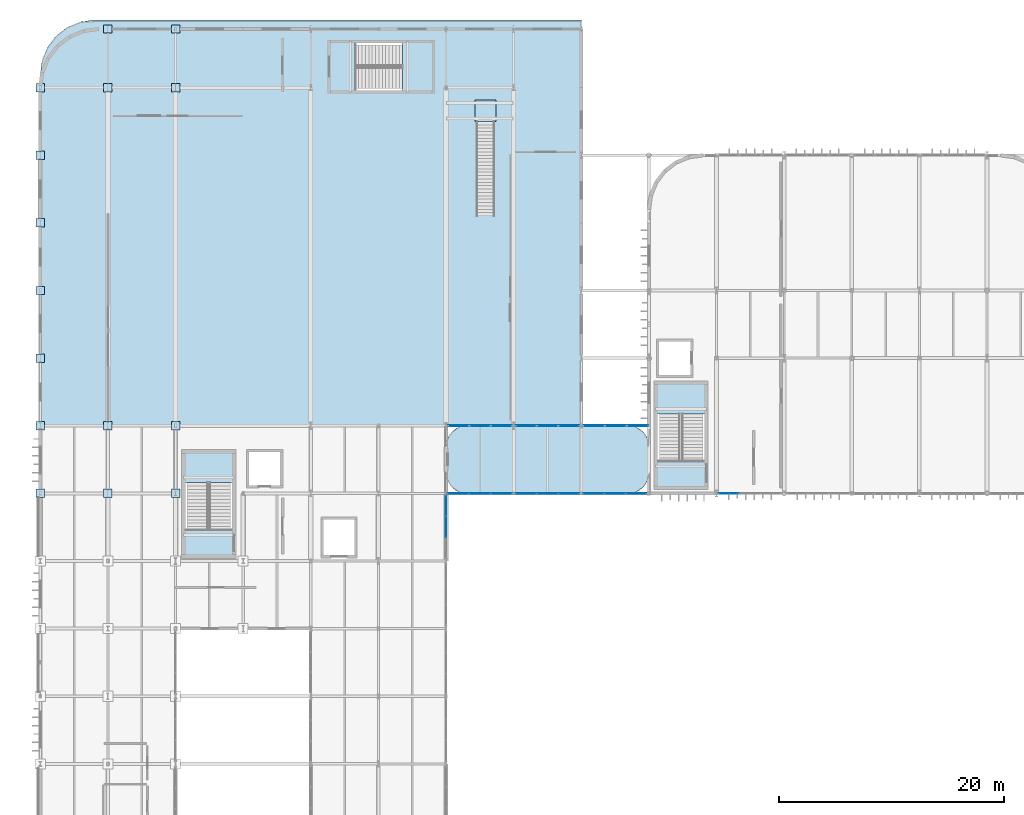
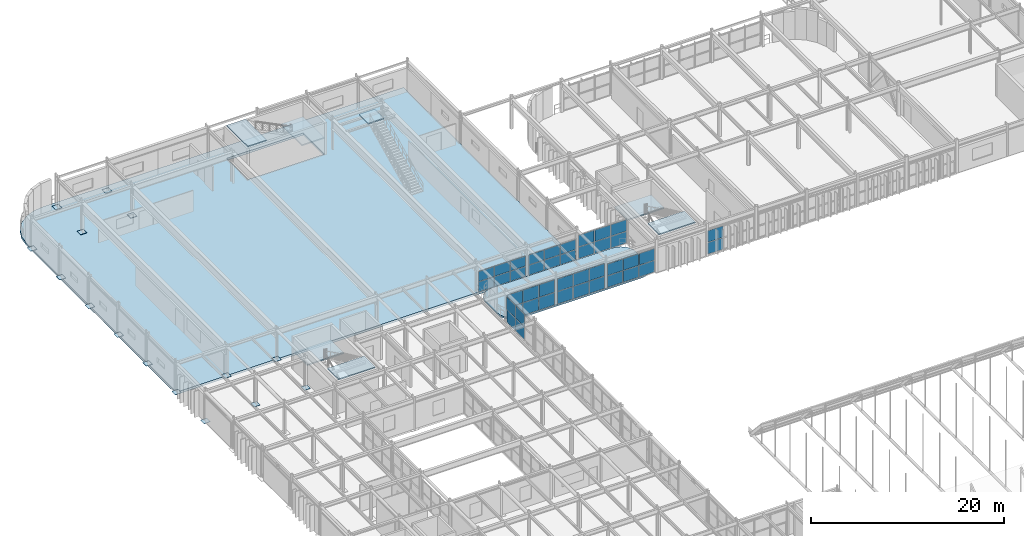
# One storey, part 80 of 116: 57 plates, 9 slabs, 12 elements without a shape of their own.
"""IFC4 building model written with IfcOpenShell, lengths in metres."""

from ifc_helpers import new_model, si_unit, direction, frame, origin, origin_2d, place, context, subcontext, project, spatial, polyline, rectangle, outline, extrude, material, layer, layer_set, type_object, element, aggregate, save


model = new_model("IFC4")

# Units and contexts
model_context = context("Model", 3, precision=1e-05, world=origin(), true_north=direction((0.0, 1.0)))
body_context = subcontext(model_context, "Body", "Model", "MODEL_VIEW")
ifc_project = project(units=[si_unit("LENGTHUNIT", "METRE"), si_unit("AREAUNIT", "SQUARE_METRE"), si_unit("VOLUMEUNIT", "CUBIC_METRE"), si_unit("PLANEANGLEUNIT", "RADIAN"), si_unit("MASSUNIT", "GRAM", prefix="KILO")], contexts=[model_context])

# Site, building, storey
site_placement = place(None, origin())
site = spatial("IfcSite", under=ifc_project, at=site_placement, CompositionType="ELEMENT")
building_placement = place(site_placement, origin())
building = spatial("IfcBuilding", under=site, at=building_placement, Name="Varnakota Square Police Headquarters", CompositionType="ELEMENT")
storey_placement = place(building_placement, frame((0.0, 0.0, 9.300048828125)))
storey = spatial("IfcBuildingStorey", under=building, at=storey_placement, Name="L02", CompositionType="ELEMENT", Elevation=9.300048828125)

# Curtain wall, plates
ifc_material_1 = material(Name="Anodised Aluminium Framing", Category="aluminium")
curtain_wall_type_1 = type_object("IfcCurtainWallType", Name="CW-SYS-E", PredefinedType="NOTDEFINED", material=ifc_material_1)
curtain_wall_1_placement = place(storey_placement, origin())
curtain_wall_1 = element("IfcCurtainWall", 1, at=curtain_wall_1_placement, inside=storey, type_object=curtain_wall_type_1, Name="Unitised curtain wall CWG-L02-207", PredefinedType="NOTDEFINED")
ifc_material_2 = material(Name="Solar-Control Laminated Double Glazing", Category="glass")
ifc_layer_1 = layer(ifc_material_2, 0.028076171875, Name="Solar-Control Laminated Double Glazing")
ifc_layer_set_1 = layer_set([ifc_layer_1], Name="Solar-Control Laminated Double Glazing")
plate_type_1 = type_object("IfcPlateType", Name="CWP-GLZ-28", PredefinedType="CURTAIN_PANEL", material=ifc_layer_set_1)
plate_1_placement = place(storey_placement, frame((49.09033203125, 75.0, 0.06494140625), z_axis=(0.0, 0.0, 1.0), x_axis=(1.0, 0.0, 0.0)))
plate_1 = element("IfcPlate", 2, at=plate_1_placement, type_object=plate_type_1, Name="CWG-L02-207 panel 1.1", PredefinedType="CURTAIN_PANEL", context=body_context, shape_type="SweptSolid", body=[
    extrude(rectangle(XDim=1.830810546875, YDim=0.028076171875, at=origin_2d()), origin(), (0.0, 0.0, 1.0), 1.24755859375),
])
plate_2_placement = place(storey_placement, frame((51.00244140625, 75.0, 0.06494140625), z_axis=(0.0, 0.0, 1.0), x_axis=(1.0, 0.0, 0.0)))
plate_2 = element("IfcPlate", 3, at=plate_2_placement, type_object=plate_type_1, Name="CWG-L02-207 panel 2.1", PredefinedType="CURTAIN_PANEL", context=body_context, shape_type="SweptSolid", body=[
    extrude(rectangle(XDim=1.86328125, YDim=0.028076171875, at=origin_2d()), origin(), (0.0, 0.0, 1.0), 1.24755859375),
])
plate_3_placement = place(storey_placement, frame((52.91455078125, 75.0, 0.06494140625), z_axis=(0.0, 0.0, 1.0), x_axis=(1.0, 0.0, 0.0)))
plate_3 = element("IfcPlate", 4, at=plate_3_placement, type_object=plate_type_1, Name="CWG-L02-207 panel 3.1", PredefinedType="CURTAIN_PANEL", context=body_context, shape_type="SweptSolid", body=[
    extrude(rectangle(XDim=1.830810546875, YDim=0.028076171875, at=origin_2d()), origin(), (0.0, 0.0, 1.0), 1.24755859375),
])

curtain_wall_type_2 = type_object("IfcCurtainWallType", Name="CW-SYS-D", PredefinedType="NOTDEFINED", material=ifc_material_1)
curtain_wall_2_placement = place(storey_placement, origin())
curtain_wall_2 = element("IfcCurtainWall", 5, at=curtain_wall_2_placement, inside=storey, type_object=curtain_wall_type_2, Name="Unitised curtain wall CWG-L02-160", PredefinedType="NOTDEFINED")
ifc_material_3 = material(Name="Acoustic Laminated Double Glazing", Category="glass")
ifc_layer_2 = layer(ifc_material_3, 0.031982421875, Name="Acoustic Laminated Double Glazing")
ifc_layer_set_2 = layer_set([ifc_layer_2], Name="Acoustic Laminated Double Glazing")
plate_type_2 = type_object("IfcPlateType", Name="CWP-GLZ-32", PredefinedType="CURTAIN_PANEL", material=ifc_layer_set_2)
plate_4_placement = place(storey_placement, frame((42.0, 66.02490234375, 0.06494140625), z_axis=(0.0, 0.0, 1.0), x_axis=(0.0, 1.0, 0.0)))
plate_4 = element("IfcPlate", 6, at=plate_4_placement, type_object=plate_type_2, Name="CWG-L02-160 panel 2.1", PredefinedType="CURTAIN_PANEL", context=body_context, shape_type="SweptSolid", body=[
    extrude(rectangle(XDim=1.81494140625, YDim=0.031982421875, at=origin_2d()), origin(), (0.0, 0.0, 1.0), 1.572509765625),
])
plate_5_placement = place(storey_placement, frame((42.0, 67.888671875, 0.06494140625), z_axis=(0.0, 0.0, 1.0), x_axis=(0.0, 1.0, 0.0)))
plate_5 = element("IfcPlate", 7, at=plate_5_placement, type_object=plate_type_2, Name="CWG-L02-160 panel 3.1", PredefinedType="CURTAIN_PANEL", context=body_context, shape_type="SweptSolid", body=[
    extrude(rectangle(XDim=1.782470703125, YDim=0.031982421875, at=origin_2d()), origin(), (0.0, 0.0, 1.0), 1.572509765625),
])

curtain_wall_3_placement = place(storey_placement, origin())
curtain_wall_3 = element("IfcCurtainWall", 8, at=curtain_wall_3_placement, inside=storey, type_object=curtain_wall_type_1, Name="Unitised curtain wall CWG-L02-204", PredefinedType="NOTDEFINED")
plate_6_placement = place(storey_placement, frame((43.084716796875, 69.0, 0.06494140625), z_axis=(0.0, 0.0, 1.0), x_axis=(1.0, 0.0, 0.0)))
plate_6 = element("IfcPlate", 9, at=plate_6_placement, type_object=plate_type_2, Name="CWG-L02-204 panel 1.1", PredefinedType="CURTAIN_PANEL", context=body_context, shape_type="SweptSolid", body=[
    extrude(rectangle(XDim=1.829345703125, YDim=0.031982421875, at=origin_2d()), origin(), (0.0, 0.0, 1.0), 1.572509765625),
])
plate_7_placement = place(storey_placement, frame((44.9951171875, 69.0, 0.06494140625), z_axis=(0.0, 0.0, 1.0), x_axis=(1.0, 0.0, 0.0)))
plate_7 = element("IfcPlate", 10, at=plate_7_placement, type_object=plate_type_2, Name="CWG-L02-204 panel 2.1", PredefinedType="CURTAIN_PANEL", context=body_context, shape_type="SweptSolid", body=[
    extrude(rectangle(XDim=1.86181640625, YDim=0.031982421875, at=origin_2d()), origin(), (0.0, 0.0, 1.0), 1.572509765625),
])
plate_8_placement = place(storey_placement, frame((46.90576171875, 69.0, 0.06494140625), z_axis=(0.0, 0.0, 1.0), x_axis=(1.0, 0.0, 0.0)))
plate_8 = element("IfcPlate", 11, at=plate_8_placement, type_object=plate_type_2, Name="CWG-L02-204 panel 3.1", PredefinedType="CURTAIN_PANEL", context=body_context, shape_type="SweptSolid", body=[
    extrude(rectangle(XDim=1.829345703125, YDim=0.031982421875, at=origin_2d()), origin(), (0.0, 0.0, 1.0), 1.572509765625),
])

curtain_wall_4_placement = place(storey_placement, origin())
curtain_wall_4 = element("IfcCurtainWall", 12, at=curtain_wall_4_placement, inside=storey, type_object=curtain_wall_type_1, Name="Unitised curtain wall CWG-L02-208", PredefinedType="NOTDEFINED")
plate_9_placement = place(storey_placement, frame((55.0859375, 69.0, 0.06494140625), z_axis=(0.0, 0.0, 1.0), x_axis=(1.0, 0.0, 0.0)))
plate_9 = element("IfcPlate", 13, at=plate_9_placement, type_object=plate_type_2, Name="CWG-L02-208 panel 1.1", PredefinedType="CURTAIN_PANEL", context=body_context, shape_type="SweptSolid", body=[
    extrude(rectangle(XDim=1.812744140625, YDim=0.031982421875, at=origin_2d()), origin(), (0.0, 0.0, 1.0), 1.447509765625),
])
plate_10_placement = place(storey_placement, frame((56.979736328125, 69.0, 0.06494140625), z_axis=(0.0, 0.0, 1.0), x_axis=(1.0, 0.0, 0.0)))
plate_10 = element("IfcPlate", 14, at=plate_10_placement, type_object=plate_type_2, Name="CWG-L02-208 panel 2.1", PredefinedType="CURTAIN_PANEL", context=body_context, shape_type="SweptSolid", body=[
    extrude(rectangle(XDim=1.84521484375, YDim=0.031982421875, at=origin_2d()), origin(), (0.0, 0.0, 1.0), 1.447509765625),
])
plate_11_placement = place(storey_placement, frame((58.873779296875, 69.0, 0.06494140625), z_axis=(0.0, 0.0, 1.0), x_axis=(1.0, 0.0, 0.0)))
plate_11 = element("IfcPlate", 15, at=plate_11_placement, type_object=plate_type_2, Name="CWG-L02-208 panel 3.1", PredefinedType="CURTAIN_PANEL", context=body_context, shape_type="SweptSolid", body=[
    extrude(rectangle(XDim=1.812744140625, YDim=0.031982421875, at=origin_2d()), origin(), (0.0, 0.0, 1.0), 1.447509765625),
])

# Curtain wall, plate
curtain_wall_type_3 = type_object("IfcCurtainWallType", Name="CW-SYS-B", PredefinedType="NOTDEFINED", material=ifc_material_1)
curtain_wall_5_placement = place(storey_placement, origin())
curtain_wall_5 = element("IfcCurtainWall", 16, at=curtain_wall_5_placement, inside=storey, type_object=curtain_wall_type_3, Name="Unitised curtain wall CWG-L02-236", PredefinedType="NOTDEFINED")
plate_12_placement = place(storey_placement, frame((67.08984375, 69.0, 0.06494140625), z_axis=(0.0, 0.0, 1.0), x_axis=(1.0, 0.0, 0.0)))
plate_12 = element("IfcPlate", 17, at=plate_12_placement, type_object=plate_type_2, Name="CWG-L02-236 panel 1.1", PredefinedType="CURTAIN_PANEL", context=body_context, shape_type="SweptSolid", body=[
    extrude(rectangle(XDim=1.789794921875, YDim=0.031982421875, at=origin_2d()), origin(), (0.0, 0.0, 1.0), 1.447509765625),
])

# Curtain wall, plates
curtain_wall_6_placement = place(storey_placement, origin())
curtain_wall_6 = element("IfcCurtainWall", 18, at=curtain_wall_6_placement, inside=storey, type_object=curtain_wall_type_1, Name="Unitised curtain wall CWG-L02-205", PredefinedType="NOTDEFINED")
ifc_material_4 = material(Name="Blast-Resistant Laminated Glazing", Category="glass")
ifc_layer_3 = layer(ifc_material_4, 0.035888671875, Name="Blast-Resistant Laminated Glazing")
ifc_layer_set_3 = layer_set([ifc_layer_3], Name="Blast-Resistant Laminated Glazing")
plate_type_3 = type_object("IfcPlateType", Name="CWP-GLZ-36", PredefinedType="CURTAIN_PANEL", material=ifc_layer_set_3)
plate_13_placement = place(storey_placement, frame((43.106201171875, 75.0, 0.06494140625), z_axis=(0.0, 0.0, 1.0), x_axis=(1.0, 0.0, 0.0)))
plate_13 = element("IfcPlate", 19, at=plate_13_placement, type_object=plate_type_3, Name="CWG-L02-205 panel 1.1", PredefinedType="CURTAIN_PANEL", context=body_context, shape_type="SweptSolid", body=[
    extrude(rectangle(XDim=1.822509765625, YDim=0.035888671875, at=origin_2d()), origin(), (0.0, 0.0, 1.0), 1.24755859375),
])
plate_14_placement = place(storey_placement, frame((45.010009765625, 75.0, 0.06494140625), z_axis=(0.0, 0.0, 1.0), x_axis=(1.0, 0.0, 0.0)))
plate_14 = element("IfcPlate", 20, at=plate_14_placement, type_object=plate_type_3, Name="CWG-L02-205 panel 2.1", PredefinedType="CURTAIN_PANEL", context=body_context, shape_type="SweptSolid", body=[
    extrude(rectangle(XDim=1.85498046875, YDim=0.035888671875, at=origin_2d()), origin(), (0.0, 0.0, 1.0), 1.24755859375),
])
plate_15_placement = place(storey_placement, frame((46.913818359375, 75.0, 0.06494140625), z_axis=(0.0, 0.0, 1.0), x_axis=(1.0, 0.0, 0.0)))
plate_15 = element("IfcPlate", 21, at=plate_15_placement, type_object=plate_type_3, Name="CWG-L02-205 panel 3.1", PredefinedType="CURTAIN_PANEL", context=body_context, shape_type="SweptSolid", body=[
    extrude(rectangle(XDim=1.822509765625, YDim=0.035888671875, at=origin_2d()), origin(), (0.0, 0.0, 1.0), 1.24755859375),
])

curtain_wall_7_placement = place(storey_placement, origin())
curtain_wall_7 = element("IfcCurtainWall", 22, at=curtain_wall_7_placement, inside=storey, type_object=curtain_wall_type_1, Name="Unitised curtain wall CWG-L02-209", PredefinedType="NOTDEFINED")
plate_16_placement = place(storey_placement, frame((55.103759765625, 75.0, 0.06494140625), z_axis=(0.0, 0.0, 1.0), x_axis=(1.0, 0.0, 0.0)))
plate_16 = element("IfcPlate", 23, at=plate_16_placement, type_object=plate_type_3, Name="CWG-L02-209 panel 1.1", PredefinedType="CURTAIN_PANEL", context=body_context, shape_type="SweptSolid", body=[
    extrude(rectangle(XDim=1.867431640625, YDim=0.035888671875, at=origin_2d()), origin(), (0.0, 0.0, 1.0), 1.447509765625),
])
plate_17_placement = place(storey_placement, frame((57.052490234375, 75.0, 0.06494140625), z_axis=(0.0, 0.0, 1.0), x_axis=(1.0, 0.0, 0.0)))
plate_17 = element("IfcPlate", 24, at=plate_17_placement, type_object=plate_type_3, Name="CWG-L02-209 panel 2.1", PredefinedType="CURTAIN_PANEL", context=body_context, shape_type="SweptSolid", body=[
    extrude(rectangle(XDim=1.89990234375, YDim=0.035888671875, at=origin_2d()), origin(), (0.0, 0.0, 1.0), 1.447509765625),
])
plate_18_placement = place(storey_placement, frame((59.001220703125, 75.0, 0.06494140625), z_axis=(0.0, 0.0, 1.0), x_axis=(1.0, 0.0, 0.0)))
plate_18 = element("IfcPlate", 25, at=plate_18_placement, type_object=plate_type_3, Name="CWG-L02-209 panel 3.1", PredefinedType="CURTAIN_PANEL", context=body_context, shape_type="SweptSolid", body=[
    extrude(rectangle(XDim=1.867431640625, YDim=0.035888671875, at=origin_2d()), origin(), (0.0, 0.0, 1.0), 1.447509765625),
])

curtain_wall_8_placement = place(storey_placement, origin())
curtain_wall_8 = element("IfcCurtainWall", 26, at=curtain_wall_8_placement, inside=storey, type_object=curtain_wall_type_1, Name="Unitised curtain wall CWG-L02-206", PredefinedType="NOTDEFINED")
ifc_material_5 = material(Name="Triple-Glazed Clean-Lab Vision Unit", Category="aluminium")
ifc_layer_4 = layer(ifc_material_5, 0.0419921875, Name="Triple-Glazed Clean-Lab Vision Unit")
ifc_layer_set_4 = layer_set([ifc_layer_4], Name="Triple-Glazed Clean-Lab Vision Unit")
plate_type_4 = type_object("IfcPlateType", Name="CWP-GLZ-42", PredefinedType="CURTAIN_PANEL", material=ifc_layer_set_4)
plate_19_placement = place(storey_placement, frame((49.092529296875, 69.0, 0.06494140625), z_axis=(0.0, 0.0, 1.0), x_axis=(1.0, 0.0, 0.0)))
plate_19 = element("IfcPlate", 27, at=plate_19_placement, type_object=plate_type_4, Name="CWG-L02-206 panel 1.1", PredefinedType="CURTAIN_PANEL", context=body_context, shape_type="SweptSolid", body=[
    extrude(rectangle(XDim=1.826171875, YDim=0.0419921875, at=origin_2d()), origin(), (0.0, 0.0, 1.0), 1.547607421875),
])
plate_20_placement = place(storey_placement, frame((51.0, 69.0, 0.06494140625), z_axis=(0.0, 0.0, 1.0), x_axis=(1.0, 0.0, 0.0)))
plate_20 = element("IfcPlate", 28, at=plate_20_placement, type_object=plate_type_4, Name="CWG-L02-206 panel 2.1", PredefinedType="CURTAIN_PANEL", context=body_context, shape_type="SweptSolid", body=[
    extrude(rectangle(XDim=1.858642578125, YDim=0.0419921875, at=origin_2d()), origin(), (0.0, 0.0, 1.0), 1.547607421875),
])
plate_21_placement = place(storey_placement, frame((52.907470703125, 69.0, 0.06494140625), z_axis=(0.0, 0.0, 1.0), x_axis=(1.0, 0.0, 0.0)))
plate_21 = element("IfcPlate", 29, at=plate_21_placement, type_object=plate_type_4, Name="CWG-L02-206 panel 3.1", PredefinedType="CURTAIN_PANEL", context=body_context, shape_type="SweptSolid", body=[
    extrude(rectangle(XDim=1.826171875, YDim=0.0419921875, at=origin_2d()), origin(), (0.0, 0.0, 1.0), 1.547607421875),
])

# Plate
ifc_material_6 = material(Name="Insulated Anodised Aluminium Spandrel Panel", Category="aluminium")
ifc_layer_5 = layer(ifc_material_6, 0.050048828125, Name="Insulated Anodised Aluminium Spandrel Panel")
ifc_layer_set_5 = layer_set([ifc_layer_5], Name="Insulated Anodised Aluminium Spandrel Panel")
plate_type_5 = type_object("IfcPlateType", Name="CWP-SPN-50", PredefinedType="CURTAIN_PANEL", material=ifc_layer_set_5)
plate_22_placement = place(storey_placement, frame((43.106201171875, 75.0, 1.37744140625), z_axis=(0.0, 0.0, 1.0), x_axis=(1.0, 0.0, 0.0)))
plate_22 = element("IfcPlate", 30, at=plate_22_placement, type_object=plate_type_5, Name="CWG-L02-205 panel 1.2", PredefinedType="CURTAIN_PANEL", context=body_context, shape_type="SweptSolid", body=[
    extrude(rectangle(XDim=1.822509765625, YDim=0.050048828125, at=origin_2d()), origin(), (0.0, 0.0, 1.0), 1.24755859375),
])

plate_23_placement = place(storey_placement, frame((45.010009765625, 75.0, 1.37744140625), z_axis=(0.0, 0.0, 1.0), x_axis=(1.0, 0.0, 0.0)))
plate_23 = element("IfcPlate", 31, at=plate_23_placement, type_object=plate_type_5, Name="CWG-L02-205 panel 2.2", PredefinedType="CURTAIN_PANEL", context=body_context, shape_type="SweptSolid", body=[
    extrude(rectangle(XDim=1.85498046875, YDim=0.050048828125, at=origin_2d()), origin(), (0.0, 0.0, 1.0), 1.24755859375),
])

plate_24_placement = place(storey_placement, frame((46.913818359375, 75.0, 1.37744140625), z_axis=(0.0, 0.0, 1.0), x_axis=(1.0, 0.0, 0.0)))
plate_24 = element("IfcPlate", 32, at=plate_24_placement, type_object=plate_type_5, Name="CWG-L02-205 panel 3.2", PredefinedType="CURTAIN_PANEL", context=body_context, shape_type="SweptSolid", body=[
    extrude(rectangle(XDim=1.822509765625, YDim=0.050048828125, at=origin_2d()), origin(), (0.0, 0.0, 1.0), 1.24755859375),
])

aggregate(curtain_wall_6, [plate_13, plate_22, plate_14, plate_23, plate_15, plate_24])

plate_25_placement = place(storey_placement, frame((49.09033203125, 75.0, 1.37744140625), z_axis=(0.0, 0.0, 1.0), x_axis=(1.0, 0.0, 0.0)))
plate_25 = element("IfcPlate", 33, at=plate_25_placement, type_object=plate_type_5, Name="CWG-L02-207 panel 1.2", PredefinedType="CURTAIN_PANEL", context=body_context, shape_type="SweptSolid", body=[
    extrude(rectangle(XDim=1.830810546875, YDim=0.050048828125, at=origin_2d()), origin(), (0.0, 0.0, 1.0), 1.24755859375),
])

plate_26_placement = place(storey_placement, frame((51.00244140625, 75.0, 1.37744140625), z_axis=(0.0, 0.0, 1.0), x_axis=(1.0, 0.0, 0.0)))
plate_26 = element("IfcPlate", 34, at=plate_26_placement, type_object=plate_type_5, Name="CWG-L02-207 panel 2.2", PredefinedType="CURTAIN_PANEL", context=body_context, shape_type="SweptSolid", body=[
    extrude(rectangle(XDim=1.86328125, YDim=0.050048828125, at=origin_2d()), origin(), (0.0, 0.0, 1.0), 1.24755859375),
])

plate_27_placement = place(storey_placement, frame((52.91455078125, 75.0, 1.37744140625), z_axis=(0.0, 0.0, 1.0), x_axis=(1.0, 0.0, 0.0)))
plate_27 = element("IfcPlate", 35, at=plate_27_placement, type_object=plate_type_5, Name="CWG-L02-207 panel 3.2", PredefinedType="CURTAIN_PANEL", context=body_context, shape_type="SweptSolid", body=[
    extrude(rectangle(XDim=1.830810546875, YDim=0.050048828125, at=origin_2d()), origin(), (0.0, 0.0, 1.0), 1.24755859375),
])

aggregate(curtain_wall_1, [plate_1, plate_25, plate_2, plate_26, plate_3, plate_27])

plate_28_placement = place(storey_placement, frame((55.103759765625, 75.0, 1.57763671875), z_axis=(0.0, 0.0, 1.0), x_axis=(1.0, 0.0, 0.0)))
plate_28 = element("IfcPlate", 36, at=plate_28_placement, type_object=plate_type_5, Name="CWG-L02-209 panel 1.2", PredefinedType="CURTAIN_PANEL", context=body_context, shape_type="SweptSolid", body=[
    extrude(rectangle(XDim=1.867431640625, YDim=0.050048828125, at=origin_2d()), origin(), (0.0, 0.0, 1.0), 1.447509765625),
])

plate_29_placement = place(storey_placement, frame((57.052490234375, 75.0, 1.57763671875), z_axis=(0.0, 0.0, 1.0), x_axis=(1.0, 0.0, 0.0)))
plate_29 = element("IfcPlate", 37, at=plate_29_placement, type_object=plate_type_5, Name="CWG-L02-209 panel 2.2", PredefinedType="CURTAIN_PANEL", context=body_context, shape_type="SweptSolid", body=[
    extrude(rectangle(XDim=1.89990234375, YDim=0.050048828125, at=origin_2d()), origin(), (0.0, 0.0, 1.0), 1.447509765625),
])

plate_30_placement = place(storey_placement, frame((59.001220703125, 75.0, 1.57763671875), z_axis=(0.0, 0.0, 1.0), x_axis=(1.0, 0.0, 0.0)))
plate_30 = element("IfcPlate", 38, at=plate_30_placement, type_object=plate_type_5, Name="CWG-L02-209 panel 3.2", PredefinedType="CURTAIN_PANEL", context=body_context, shape_type="SweptSolid", body=[
    extrude(rectangle(XDim=1.867431640625, YDim=0.050048828125, at=origin_2d()), origin(), (0.0, 0.0, 1.0), 1.447509765625),
])

aggregate(curtain_wall_7, [plate_16, plate_28, plate_17, plate_29, plate_18, plate_30])

ifc_material_7 = material(Name="Fire-Stopped Mineral-Wool Spandrel Panel", Category="aluminium")
ifc_layer_6 = layer(ifc_material_7, 0.06005859375, Name="Fire-Stopped Mineral-Wool Spandrel Panel")
ifc_layer_set_6 = layer_set([ifc_layer_6], Name="Fire-Stopped Mineral-Wool Spandrel Panel")
plate_type_6 = type_object("IfcPlateType", Name="CWP-SPN-60", PredefinedType="CURTAIN_PANEL", material=ifc_layer_set_6)
plate_31_placement = place(storey_placement, frame((42.0, 66.02490234375, 1.70263671875), z_axis=(0.0, 0.0, 1.0), x_axis=(0.0, 1.0, 0.0)))
plate_31 = element("IfcPlate", 39, at=plate_31_placement, type_object=plate_type_6, Name="CWG-L02-160 panel 2.2", PredefinedType="CURTAIN_PANEL", context=body_context, shape_type="SweptSolid", body=[
    extrude(rectangle(XDim=1.81494140625, YDim=0.06005859375, at=origin_2d()), origin(), (0.0, 0.0, 1.0), 1.572509765625),
])

plate_32_placement = place(storey_placement, frame((42.0, 67.888671875, 1.70263671875), z_axis=(0.0, 0.0, 1.0), x_axis=(0.0, 1.0, 0.0)))
plate_32 = element("IfcPlate", 40, at=plate_32_placement, type_object=plate_type_6, Name="CWG-L02-160 panel 3.2", PredefinedType="CURTAIN_PANEL", context=body_context, shape_type="SweptSolid", body=[
    extrude(rectangle(XDim=1.782470703125, YDim=0.06005859375, at=origin_2d()), origin(), (0.0, 0.0, 1.0), 1.572509765625),
])

aggregate(curtain_wall_2, [plate_4, plate_31, plate_5, plate_32])

plate_33_placement = place(storey_placement, frame((43.084716796875, 69.0, 1.70263671875), z_axis=(0.0, 0.0, 1.0), x_axis=(1.0, 0.0, 0.0)))
plate_33 = element("IfcPlate", 41, at=plate_33_placement, type_object=plate_type_6, Name="CWG-L02-204 panel 1.2", PredefinedType="CURTAIN_PANEL", context=body_context, shape_type="SweptSolid", body=[
    extrude(rectangle(XDim=1.829345703125, YDim=0.06005859375, at=origin_2d()), origin(), (0.0, 0.0, 1.0), 1.572509765625),
])

plate_34_placement = place(storey_placement, frame((44.9951171875, 69.0, 1.70263671875), z_axis=(0.0, 0.0, 1.0), x_axis=(1.0, 0.0, 0.0)))
plate_34 = element("IfcPlate", 42, at=plate_34_placement, type_object=plate_type_6, Name="CWG-L02-204 panel 2.2", PredefinedType="CURTAIN_PANEL", context=body_context, shape_type="SweptSolid", body=[
    extrude(rectangle(XDim=1.86181640625, YDim=0.06005859375, at=origin_2d()), origin(), (0.0, 0.0, 1.0), 1.572509765625),
])

plate_35_placement = place(storey_placement, frame((46.90576171875, 69.0, 1.70263671875), z_axis=(0.0, 0.0, 1.0), x_axis=(1.0, 0.0, 0.0)))
plate_35 = element("IfcPlate", 43, at=plate_35_placement, type_object=plate_type_6, Name="CWG-L02-204 panel 3.2", PredefinedType="CURTAIN_PANEL", context=body_context, shape_type="SweptSolid", body=[
    extrude(rectangle(XDim=1.829345703125, YDim=0.06005859375, at=origin_2d()), origin(), (0.0, 0.0, 1.0), 1.572509765625),
])

aggregate(curtain_wall_3, [plate_6, plate_33, plate_7, plate_34, plate_8, plate_35])

plate_36_placement = place(storey_placement, frame((49.092529296875, 69.0, 1.67724609375), z_axis=(0.0, 0.0, 1.0), x_axis=(1.0, 0.0, 0.0)))
plate_36 = element("IfcPlate", 44, at=plate_36_placement, type_object=plate_type_6, Name="CWG-L02-206 panel 1.2", PredefinedType="CURTAIN_PANEL", context=body_context, shape_type="SweptSolid", body=[
    extrude(rectangle(XDim=1.826171875, YDim=0.06005859375, at=origin_2d()), origin(), (0.0, 0.0, 1.0), 1.547607421875),
])

plate_37_placement = place(storey_placement, frame((51.0, 69.0, 1.67724609375), z_axis=(0.0, 0.0, 1.0), x_axis=(1.0, 0.0, 0.0)))
plate_37 = element("IfcPlate", 45, at=plate_37_placement, type_object=plate_type_6, Name="CWG-L02-206 panel 2.2", PredefinedType="CURTAIN_PANEL", context=body_context, shape_type="SweptSolid", body=[
    extrude(rectangle(XDim=1.858642578125, YDim=0.06005859375, at=origin_2d()), origin(), (0.0, 0.0, 1.0), 1.547607421875),
])

plate_38_placement = place(storey_placement, frame((52.907470703125, 69.0, 1.67724609375), z_axis=(0.0, 0.0, 1.0), x_axis=(1.0, 0.0, 0.0)))
plate_38 = element("IfcPlate", 46, at=plate_38_placement, type_object=plate_type_6, Name="CWG-L02-206 panel 3.2", PredefinedType="CURTAIN_PANEL", context=body_context, shape_type="SweptSolid", body=[
    extrude(rectangle(XDim=1.826171875, YDim=0.06005859375, at=origin_2d()), origin(), (0.0, 0.0, 1.0), 1.547607421875),
])

aggregate(curtain_wall_8, [plate_19, plate_36, plate_20, plate_37, plate_21, plate_38])

plate_39_placement = place(storey_placement, frame((55.0859375, 69.0, 1.57763671875), z_axis=(0.0, 0.0, 1.0), x_axis=(1.0, 0.0, 0.0)))
plate_39 = element("IfcPlate", 47, at=plate_39_placement, type_object=plate_type_6, Name="CWG-L02-208 panel 1.2", PredefinedType="CURTAIN_PANEL", context=body_context, shape_type="SweptSolid", body=[
    extrude(rectangle(XDim=1.812744140625, YDim=0.06005859375, at=origin_2d()), origin(), (0.0, 0.0, 1.0), 1.447509765625),
])

plate_40_placement = place(storey_placement, frame((56.979736328125, 69.0, 1.57763671875), z_axis=(0.0, 0.0, 1.0), x_axis=(1.0, 0.0, 0.0)))
plate_40 = element("IfcPlate", 48, at=plate_40_placement, type_object=plate_type_6, Name="CWG-L02-208 panel 2.2", PredefinedType="CURTAIN_PANEL", context=body_context, shape_type="SweptSolid", body=[
    extrude(rectangle(XDim=1.84521484375, YDim=0.06005859375, at=origin_2d()), origin(), (0.0, 0.0, 1.0), 1.447509765625),
])

plate_41_placement = place(storey_placement, frame((58.873779296875, 69.0, 1.57763671875), z_axis=(0.0, 0.0, 1.0), x_axis=(1.0, 0.0, 0.0)))
plate_41 = element("IfcPlate", 49, at=plate_41_placement, type_object=plate_type_6, Name="CWG-L02-208 panel 3.2", PredefinedType="CURTAIN_PANEL", context=body_context, shape_type="SweptSolid", body=[
    extrude(rectangle(XDim=1.812744140625, YDim=0.06005859375, at=origin_2d()), origin(), (0.0, 0.0, 1.0), 1.447509765625),
])

aggregate(curtain_wall_4, [plate_9, plate_39, plate_10, plate_40, plate_11, plate_41])

plate_42_placement = place(storey_placement, frame((67.08984375, 69.0, 1.57763671875), z_axis=(0.0, 0.0, 1.0), x_axis=(1.0, 0.0, 0.0)))
plate_42 = element("IfcPlate", 50, at=plate_42_placement, type_object=plate_type_6, Name="CWG-L02-236 panel 1.2", PredefinedType="CURTAIN_PANEL", context=body_context, shape_type="SweptSolid", body=[
    extrude(rectangle(XDim=1.789794921875, YDim=0.06005859375, at=origin_2d()), origin(), (0.0, 0.0, 1.0), 1.447509765625),
])

aggregate(curtain_wall_5, [plate_12, plate_42])

# Plates
ifc_material_8 = material(Name="Steel IS 2062 Grade 350", Category="steel")
ifc_layer_7 = layer(ifc_material_8, 0.02490234375, Name="Steel IS 2062 Grade 350")
ifc_layer_set_7 = layer_set([ifc_layer_7], Name="Steel IS 2062 Grade 350")
plate_type_7 = type_object("IfcPlateType", Name="PL-BASE-25", PredefinedType="SHEET", material=ifc_layer_set_7)
for number, where, z_axis, x_axis, name in (
    (51, (6.0, 69.0, 0.0), (0.0, 0.0, 1.0), (1.0, 0.0, 0.0), "Column base plate BP-009"),
    (52, (6.0, 75.0, 0.0), (0.0, 0.0, 1.0), (1.0, 0.0, 0.0), "Column base plate BP-010"),
    (53, (6.0, 81.0, 0.0), (0.0, 0.0, 1.0), (1.0, 0.0, 0.0), "Column base plate BP-011"),
    (54, (6.0, 87.0, 0.0), (0.0, 0.0, 1.0), (1.0, 0.0, 0.0), "Column base plate BP-012"),
    (55, (6.0, 93.0, 0.0), (0.0, 0.0, 1.0), (1.0, 0.0, 0.0), "Column base plate BP-013"),
    (56, (6.0, 99.0, 0.0), (0.0, 0.0, 1.0), (1.0, 0.0, 0.0), "Column base plate BP-014"),
    (57, (6.0, 105.0, 0.0), (0.0, 0.0, 1.0), (1.0, 0.0, 0.0), "Column base plate BP-015"),
    (58, (12.0, 69.0, 0.0), (0.0, 0.0, 1.0), (1.0, 0.0, 0.0), "Column base plate BP-027"),
    (59, (12.0, 75.0, 0.0), (0.0, 0.0, 1.0), (1.0, 0.0, 0.0), "Column base plate BP-028"),
    (60, (12.0, 105.0, 0.0), (0.0, 0.0, 1.0), (1.0, 0.0, 0.0), "Column base plate BP-029"),
    (61, (12.0, 110.199951171875, 0.0), (0.0, 0.0, 1.0), (1.0, 0.0, 0.0), "Column base plate BP-030"),
    (62, (18.0, 69.0, 0.0), (0.0, 0.0, 1.0), (1.0, 0.0, 0.0), "Column base plate BP-042"),
    (63, (18.0, 75.0, 0.0), (0.0, 0.0, 1.0), (1.0, 0.0, 0.0), "Column base plate BP-043"),
    (64, (18.0, 105.0, 0.0), (0.0, 0.0, 1.0), (1.0, 0.0, 0.0), "Column base plate BP-044"),
    (65, (18.0, 110.199951171875, 0.0), (0.0, 0.0, 1.0), (1.0, 0.0, 0.0), "Column base plate BP-045"),
):
    element("IfcPlate", number, at=place(storey_placement, frame(where, z_axis=z_axis, x_axis=x_axis)), inside=storey, type_object=plate_type_7, Name=name, PredefinedType="SHEET", context=body_context, shape_type="SweptSolid", body=[
        extrude(rectangle(XDim=0.75, YDim=0.75, at=origin_2d()), origin(), (0.0, 0.0, 1.0), 0.02490234375),
    ])

# Slabs
ifc_material_9 = material(Name="Concrete M40", Category="concrete")
ifc_layer_8 = layer(ifc_material_9, 0.199951171875, Name="Concrete M40")
ifc_layer_set_8 = layer_set([ifc_layer_8], Name="Concrete M40")
slab_type_1 = type_object("IfcSlabType", Name="SL-COMP-200", PredefinedType="FLOOR", material=ifc_layer_set_8)
slab_1_placement = place(storey_placement, frame((0.0, 0.0, -0.199951171875)))
element("IfcSlab", 66, at=slab_1_placement, inside=storey, type_object=slab_type_1, Name="L02 North Court Link Bridge", PredefinedType="FLOOR", context=body_context, shape_type="SweptSolid", body=[
    extrude(outline(polyline([(42.0, 70.800048828125), (42.061279296875, 70.333984375), (42.2412109375, 69.89990234375), (42.527099609375, 69.527099609375), (42.89990234375, 69.2412109375), (43.333984375, 69.061279296875), (43.800048828125, 69.0), (58.199951171875, 69.0), (58.666015625, 69.061279296875), (59.10009765625, 69.2412109375), (59.472900390625, 69.527099609375), (59.7587890625, 69.89990234375), (59.938720703125, 70.333984375), (60.0, 70.800048828125), (60.0, 73.199951171875), (59.938720703125, 73.666015625), (59.7587890625, 74.10009765625), (59.472900390625, 74.472900390625), (59.10009765625, 74.7587890625), (58.666015625, 74.938720703125), (58.199951171875, 75.0), (43.800048828125, 75.0), (43.333984375, 74.938720703125), (42.89990234375, 74.7587890625), (42.527099609375, 74.472900390625), (42.2412109375, 74.10009765625), (42.061279296875, 73.666015625), (42.0, 73.199951171875), (42.0, 70.800048828125)])), origin(), (0.0, 0.0, 1.0), 0.199951171875),
])
ifc_layer_9 = layer(ifc_material_9, 0.280029296875, Name="Concrete M40")
ifc_layer_set_9 = layer_set([ifc_layer_9], Name="Concrete M40")
slab_type_2 = type_object("IfcSlabType", Name="SL-POD-280", PredefinedType="FLOOR", material=ifc_layer_set_9)
slab_2_placement = place(storey_placement, frame((0.0, 0.0, -0.280029296875)))
element("IfcSlab", 67, at=slab_2_placement, inside=storey, type_object=slab_type_2, Name="L02 Tactical Gymnasium Floor Slab", PredefinedType="FLOOR", context=body_context, shape_type="SweptSolid", body=[
    extrude(outline(polyline([(6.0, 75.0), (54.0, 75.0), (54.0, 111.0), (10.800048828125, 111.0), (9.5576171875, 110.83642578125), (8.39990234375, 110.35693359375), (7.406005859375, 109.593994140625), (6.64306640625, 108.60009765625), (6.16357421875, 107.4423828125), (6.0, 106.199951171875), (6.0, 75.0)]), holes=[polyline([(31.655029296875, 104.655029296875), (40.844970703125, 104.655029296875), (40.844970703125, 109.044921875), (31.655029296875, 109.044921875), (31.655029296875, 104.655029296875)])]), origin(), (0.0, 0.0, 1.0), 0.280029296875),
])

# Stair, slab
ifc_material_10 = material(Name="Precast concrete M40", Category="concrete")
stair_type_1 = type_object("IfcStairType", Name="STR-FEAT-1600", PredefinedType="STRAIGHT_RUN_STAIR", material=ifc_material_10)
stair_1_placement = place(storey_placement, origin())
stair_1 = element("IfcStair", 68, at=stair_1_placement, inside=storey, type_object=stair_type_1, Name="Civic feature straight-run stair ST-GYM1", PredefinedType="STRAIGHT_RUN_STAIR")
ifc_layer_10 = layer(ifc_material_10, 0.152099609375, Name="Precast concrete M40")
ifc_layer_set_10 = layer_set([ifc_layer_10], Name="Precast concrete M40")
slab_type_3 = type_object("IfcSlabType", Name="SLB-FLND-1600", PredefinedType="LANDING", material=ifc_layer_set_10)
slab_3_placement = place(storey_placement, frame((0.0, 0.0, 4.0478515625)))
slab_3 = element("IfcSlab", 69, at=slab_3_placement, type_object=slab_type_3, Name="ST-GYM1 landing 1", PredefinedType="LANDING", context=body_context, shape_type="SweptSolid", body=[
    extrude(outline(polyline([(44.550048828125, 102.0), (46.449951171875, 102.0), (46.449951171875, 103.89990234375), (44.550048828125, 103.89990234375), (44.550048828125, 102.0)])), origin(), (0.0, 0.0, 1.0), 0.152099609375),
])
aggregate(stair_1, [slab_3])

# Stair, slabs
stair_type_2 = type_object("IfcStairType", Name="STR-DOG-1850", PredefinedType="USERDEFINED", material=ifc_material_9)
stair_2_placement = place(storey_placement, origin())
stair_2 = element("IfcStair", 70, at=stair_2_placement, inside=storey, type_object=stair_type_2, Name="Protected exit stair ST5 (L02)", ObjectType="TWO_RETURN_STAIR", PredefinedType="USERDEFINED")
ifc_layer_11 = layer(ifc_material_9, 0.157958984375, Name="Concrete M40")
ifc_layer_set_11 = layer_set([ifc_layer_11], Name="Concrete M40")
slab_type_4 = type_object("IfcSlabType", Name="SLB-LND-1850", PredefinedType="LANDING", material=ifc_layer_set_11)
slab_4_placement = place(storey_placement, frame((0.0, 0.0, 1.94189453125)))
slab_4 = element("IfcSlab", 71, at=slab_4_placement, type_object=slab_type_4, Name="ST5-L02 landing 1", PredefinedType="LANDING", context=body_context, shape_type="SweptSolid", body=[
    extrude(outline(polyline([(18.760009765625, 69.95068359375), (23.139892578125, 69.95068359375), (23.139892578125, 72.639892578125), (18.760009765625, 72.639892578125), (18.760009765625, 69.95068359375)])), origin(), (0.0, 0.0, 1.0), 0.157958984375),
])
slab_5_placement = place(storey_placement, frame((0.0, 0.0, 4.0419921875)))
slab_5 = element("IfcSlab", 72, at=slab_5_placement, type_object=slab_type_4, Name="ST5-L02 landing 2", PredefinedType="LANDING", context=body_context, shape_type="SweptSolid", body=[
    extrude(outline(polyline([(18.760009765625, 63.4599609375), (23.139892578125, 63.4599609375), (23.139892578125, 65.75), (18.760009765625, 65.75), (18.760009765625, 63.4599609375)])), origin(), (0.0, 0.0, 1.0), 0.157958984375),
])
aggregate(stair_2, [slab_4, slab_5])

stair_3_placement = place(storey_placement, origin())
stair_3 = element("IfcStair", 73, at=stair_3_placement, inside=storey, type_object=stair_type_2, Name="Protected exit stair ST6 (L02)", ObjectType="TWO_RETURN_STAIR", PredefinedType="USERDEFINED")
slab_6_placement = place(storey_placement, frame((0.0, 0.0, 1.94189453125)))
slab_6 = element("IfcSlab", 74, at=slab_6_placement, type_object=slab_type_4, Name="ST6-L02 landing 1", PredefinedType="LANDING", context=body_context, shape_type="SweptSolid", body=[
    extrude(outline(polyline([(60.659912109375, 76.05078125), (65.0400390625, 76.05078125), (65.0400390625, 78.739990234375), (60.659912109375, 78.739990234375), (60.659912109375, 76.05078125)])), origin(), (0.0, 0.0, 1.0), 0.157958984375),
])
slab_7_placement = place(storey_placement, frame((0.0, 0.0, 4.0419921875)))
slab_7 = element("IfcSlab", 75, at=slab_7_placement, type_object=slab_type_4, Name="ST6-L02 landing 2", PredefinedType="LANDING", context=body_context, shape_type="SweptSolid", body=[
    extrude(outline(polyline([(60.659912109375, 69.56005859375), (65.0400390625, 69.56005859375), (65.0400390625, 71.85009765625), (60.659912109375, 71.85009765625), (60.659912109375, 69.56005859375)])), origin(), (0.0, 0.0, 1.0), 0.157958984375),
])
aggregate(stair_3, [slab_6, slab_7])

stair_4_placement = place(storey_placement, origin())
stair_4 = element("IfcStair", 76, at=stair_4_placement, inside=storey, type_object=stair_type_2, Name="Protected exit stair ST7 (L02)", ObjectType="TWO_RETURN_STAIR", PredefinedType="USERDEFINED")
slab_8_placement = place(storey_placement, frame((0.0, 0.0, 1.94189453125)))
slab_8 = element("IfcSlab", 77, at=slab_8_placement, type_object=slab_type_4, Name="ST7-L02 landing 1", PredefinedType="LANDING", context=body_context, shape_type="SweptSolid", body=[
    extrude(outline(polyline([(38.150634765625, 104.659912109375), (40.840087890625, 104.659912109375), (40.840087890625, 109.0400390625), (38.150634765625, 109.0400390625), (38.150634765625, 104.659912109375)])), origin(), (0.0, 0.0, 1.0), 0.157958984375),
])
slab_9_placement = place(storey_placement, frame((0.0, 0.0, 4.0419921875)))
slab_9 = element("IfcSlab", 78, at=slab_9_placement, type_object=slab_type_4, Name="ST7-L02 landing 2", PredefinedType="LANDING", context=body_context, shape_type="SweptSolid", body=[
    extrude(outline(polyline([(31.659912109375, 104.659912109375), (33.949951171875, 104.659912109375), (33.949951171875, 109.0400390625), (31.659912109375, 109.0400390625), (31.659912109375, 104.659912109375)])), origin(), (0.0, 0.0, 1.0), 0.157958984375),
])
aggregate(stair_4, [slab_8, slab_9])

save(model, "model.ifc")
